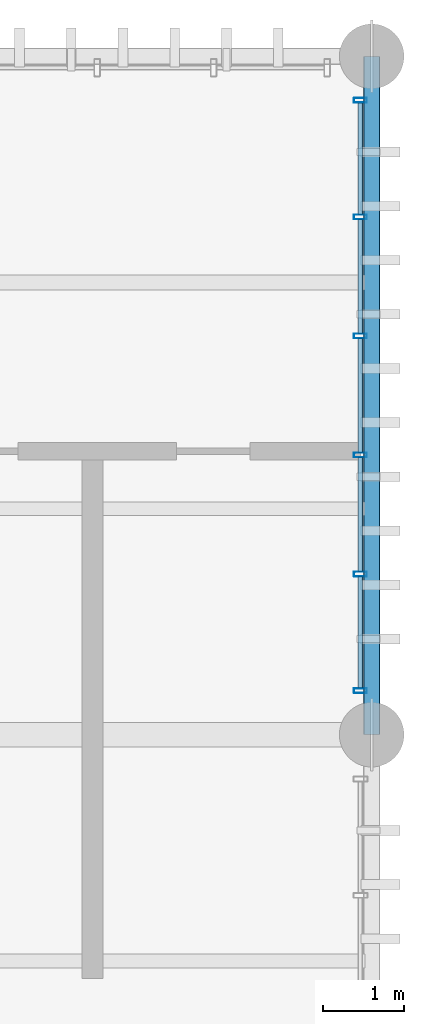
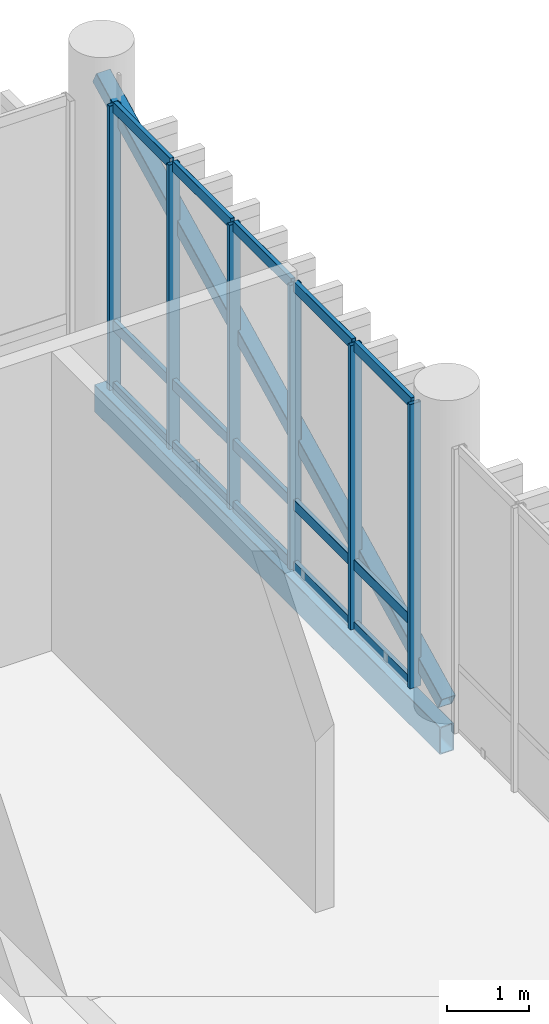
# One storey, part 76 of 109: 22 members, 1 beam, 1 element without a shape of its own.
"""IFC4 building model written with IfcOpenShell, lengths in metres."""

from ifc_helpers import new_model, si_unit, direction, frame, origin_with_axes, origin_2d_with_axis, place, context, subcontext, project, spatial, hollow_rectangle, extrude, material, material_profile, profile_set, type_object, element, aggregate, save


model = new_model("IFC4")

# Units and contexts
model_context = context("Model", 3, precision=1e-05, world=origin_with_axes(), true_north=direction((0.0, 1.0)))
body_context = subcontext(model_context, "Body", "Model", "MODEL_VIEW")
ifc_project = project(units=[si_unit("LENGTHUNIT", "METRE"), si_unit("AREAUNIT", "SQUARE_METRE"), si_unit("VOLUMEUNIT", "CUBIC_METRE"), si_unit("PLANEANGLEUNIT", "RADIAN"), si_unit("MASSUNIT", "GRAM", prefix="KILO"), si_unit("THERMODYNAMICTEMPERATUREUNIT", "KELVIN")], contexts=[model_context])

# Site, building, storey
site_placement = place(None, origin_with_axes())
site = spatial("IfcSite", under=ifc_project, at=site_placement, CompositionType="ELEMENT")
building_placement = place(site_placement, origin_with_axes())
building = spatial("IfcBuilding", under=site, at=building_placement, Name="Montbau Bow Law Courts", CompositionType="ELEMENT")
storey_placement = place(building_placement, frame((0.0, 0.0, 10.8), z_axis=(0.0, 0.0, 1.0), x_axis=(1.0, 0.0, 0.0)))
storey = spatial("IfcBuildingStorey", under=building, at=storey_placement, Name="L02", CompositionType="ELEMENT", Elevation=10.8)

# Beam
ifc_material_1 = material(Name="Steel CSA G40.21 Grade 350WT (350 MPa)", Category="steel")
ifc_material_profile_1 = material_profile(ifc_material_1, hollow_rectangle(XDim=0.203, YDim=0.406, WallThickness=0.0127, InnerFilletRadius=0.0254, OuterFilletRadius=0.0127, at=origin_2d_with_axis()), Name="HSS406X203X13", Category="Main", Priority=0)
ifc_profile_set_1 = profile_set([ifc_material_profile_1], Name="Steel CSA G40.21 Grade 350WT (350 MPa)")
beam_type = type_object("IfcBeamType", Name="B-SPN-01", PredefinedType="SPANDREL", material=ifc_profile_set_1)
beam_placement = place(None, frame((169.4, 94.8, 10.297), z_axis=(0.0, 1.0, 0.0), x_axis=(-1.0, 0.0, 0.0)))
element("IfcBeam", 1, at=beam_placement, inside=storey, type_object=beam_type, Name="SPN-L02-S1204:bm2_1207", PredefinedType="SPANDREL", context=body_context, shape_type="SweptSolid", body=[
    extrude(hollow_rectangle(XDim=0.203, YDim=0.406, WallThickness=0.0127, InnerFilletRadius=0.0254, OuterFilletRadius=0.0127, at=origin_2d_with_axis()), origin_with_axes(), (0.0, 0.0, 1.0), 8.4),
])

# Member
ifc_material_2 = material(Name="Steel CSA G40.21 Grade 350W (350 MPa)", Category="steel")
ifc_material_profile_2 = material_profile(ifc_material_2, hollow_rectangle(XDim=0.203, YDim=0.203, WallThickness=0.0111, InnerFilletRadius=0.0222, OuterFilletRadius=0.0111, at=origin_2d_with_axis()), Name="HSS203X203X11", Category="Main", Priority=0)
ifc_profile_set_2 = profile_set([ifc_material_profile_2], Name="Steel CSA G40.21 Grade 350W (350 MPa)")
member_type_1 = type_object("IfcMemberType", Name="M-BRC-02", PredefinedType="BRACE", material=ifc_profile_set_2)
member_1_placement = place(None, frame((169.4, 94.8, 10.85), z_axis=(0.0, 0.894128949, 0.447809582), x_axis=(-1.0, 0.0, 0.0)))
element("IfcMember", 2, at=member_1_placement, inside=storey, type_object=member_type_1, Name="Diagonal brace CBF-L02-075A", PredefinedType="BRACE", context=body_context, shape_type="SweptSolid", body=[
    extrude(hollow_rectangle(XDim=0.203, YDim=0.203, WallThickness=0.0111, InnerFilletRadius=0.0222, OuterFilletRadius=0.0111, at=origin_2d_with_axis()), origin_with_axes(), (0.0, 0.0, 1.0), 9.394618),
])

# Curtain wall, members
ifc_material_3 = material(Name="Thermally Broken Extruded Aluminium AA 6063-T6", Category="aluminium")
curtain_wall_type = type_object("IfcCurtainWallType", Name="CW-SLT-01", PredefinedType="NOTDEFINED", material=ifc_material_3)
curtain_wall_placement = place(None, frame((169.26, 95.315, 10.8), z_axis=(0.0, 0.0, 1.0), x_axis=(1.0, 0.0, 0.0)))
curtain_wall = element("IfcCurtainWall", 3, at=curtain_wall_placement, inside=storey, type_object=curtain_wall_type, Name="CW-L02-308:cw_0308", PredefinedType="NOTDEFINED")
ifc_material_profile_3 = material_profile(ifc_material_3, hollow_rectangle(XDim=0.06, YDim=0.16, WallThickness=0.004, InnerFilletRadius=0.008, OuterFilletRadius=0.004, at=origin_2d_with_axis()), Name="CWM-160X60", Category="Main", Priority=0)
ifc_profile_set_3 = profile_set([ifc_material_profile_3], Name="Thermally Broken Extruded Aluminium AA 6063-T6")
member_type_2 = type_object("IfcMemberType", Name="M-MUL-03", PredefinedType="MULLION", material=ifc_profile_set_3)
member_2_placement = place(None, frame((169.26, 95.345, 10.8), z_axis=(0.0, 0.0, 1.0), x_axis=(0.0, 1.0, 0.0)))
member_2 = element("IfcMember", 4, at=member_2_placement, type_object=member_type_2, Name="CW-L02-308-M01:cw_0308_M01", PredefinedType="MULLION", context=body_context, shape_type="SweptSolid", body=[
    extrude(hollow_rectangle(XDim=0.06, YDim=0.16, WallThickness=0.004, InnerFilletRadius=0.008, OuterFilletRadius=0.004, at=origin_2d_with_axis()), origin_with_axes(), (0.0, 0.0, 1.0), 4.22),
])
member_3_placement = place(None, frame((169.26, 96.789, 10.8), z_axis=(0.0, 0.0, 1.0), x_axis=(0.0, 1.0, 0.0)))
member_3 = element("IfcMember", 5, at=member_3_placement, type_object=member_type_2, Name="CW-L02-308-M02:cw_0308_M02", PredefinedType="MULLION", context=body_context, shape_type="SweptSolid", body=[
    extrude(hollow_rectangle(XDim=0.06, YDim=0.16, WallThickness=0.004, InnerFilletRadius=0.008, OuterFilletRadius=0.004, at=origin_2d_with_axis()), origin_with_axes(), (0.0, 0.0, 1.0), 4.22),
])
member_4_placement = place(None, frame((169.26, 98.263, 10.8), z_axis=(0.0, 0.0, 1.0), x_axis=(0.0, 1.0, 0.0)))
member_4 = element("IfcMember", 6, at=member_4_placement, type_object=member_type_2, Name="CW-L02-308-M03:cw_0308_M03", PredefinedType="MULLION", context=body_context, shape_type="SweptSolid", body=[
    extrude(hollow_rectangle(XDim=0.06, YDim=0.16, WallThickness=0.004, InnerFilletRadius=0.008, OuterFilletRadius=0.004, at=origin_2d_with_axis()), origin_with_axes(), (0.0, 0.0, 1.0), 4.22),
])
member_5_placement = place(None, frame((169.26, 99.737, 10.8), z_axis=(0.0, 0.0, 1.0), x_axis=(0.0, 1.0, 0.0)))
member_5 = element("IfcMember", 7, at=member_5_placement, type_object=member_type_2, Name="CW-L02-308-M04:cw_0308_M04", PredefinedType="MULLION", context=body_context, shape_type="SweptSolid", body=[
    extrude(hollow_rectangle(XDim=0.06, YDim=0.16, WallThickness=0.004, InnerFilletRadius=0.008, OuterFilletRadius=0.004, at=origin_2d_with_axis()), origin_with_axes(), (0.0, 0.0, 1.0), 4.22),
])
member_6_placement = place(None, frame((169.26, 101.211, 10.8), z_axis=(0.0, 0.0, 1.0), x_axis=(0.0, 1.0, 0.0)))
member_6 = element("IfcMember", 8, at=member_6_placement, type_object=member_type_2, Name="CW-L02-308-M05:cw_0308_M05", PredefinedType="MULLION", context=body_context, shape_type="SweptSolid", body=[
    extrude(hollow_rectangle(XDim=0.06, YDim=0.16, WallThickness=0.004, InnerFilletRadius=0.008, OuterFilletRadius=0.004, at=origin_2d_with_axis()), origin_with_axes(), (0.0, 0.0, 1.0), 4.22),
])
member_7_placement = place(None, frame((169.26, 102.655, 10.8), z_axis=(0.0, 0.0, 1.0), x_axis=(0.0, 1.0, 0.0)))
member_7 = element("IfcMember", 9, at=member_7_placement, type_object=member_type_2, Name="CW-L02-308-M06:cw_0308_M06", PredefinedType="MULLION", context=body_context, shape_type="SweptSolid", body=[
    extrude(hollow_rectangle(XDim=0.06, YDim=0.16, WallThickness=0.004, InnerFilletRadius=0.008, OuterFilletRadius=0.004, at=origin_2d_with_axis()), origin_with_axes(), (0.0, 0.0, 1.0), 4.22),
])
ifc_material_profile_4 = material_profile(ifc_material_3, hollow_rectangle(XDim=0.06, YDim=0.16, WallThickness=0.004, InnerFilletRadius=0.008, OuterFilletRadius=0.004, at=origin_2d_with_axis()), Name="CWT-160X60", Category="Main", Priority=0)
ifc_profile_set_4 = profile_set([ifc_material_profile_4], Name="Thermally Broken Extruded Aluminium AA 6063-T6")
member_type_3 = type_object("IfcMemberType", Name="M-TRN-01", PredefinedType="USERDEFINED", material=ifc_profile_set_4)
member_8_placement = place(None, frame((169.26, 95.377, 10.83), z_axis=(0.0, 1.0, 0.0), x_axis=(-1.0, 0.0, 0.0)))
member_8 = element("IfcMember", 10, at=member_8_placement, type_object=member_type_3, Name="CW-L02-308-T01-1:cw_0308_T01_1", ObjectType="TRANSOM", PredefinedType="USERDEFINED", context=body_context, shape_type="SweptSolid", body=[
    extrude(hollow_rectangle(XDim=0.06, YDim=0.16, WallThickness=0.004, InnerFilletRadius=0.008, OuterFilletRadius=0.004, at=origin_2d_with_axis()), origin_with_axes(), (0.0, 0.0, 1.0), 1.38),
])
member_9_placement = place(None, frame((169.26, 95.377, 11.75), z_axis=(0.0, 1.0, 0.0), x_axis=(-1.0, 0.0, 0.0)))
member_9 = element("IfcMember", 11, at=member_9_placement, type_object=member_type_3, Name="CW-L02-308-T01-2:cw_0308_T01_2", ObjectType="TRANSOM", PredefinedType="USERDEFINED", context=body_context, shape_type="SweptSolid", body=[
    extrude(hollow_rectangle(XDim=0.06, YDim=0.16, WallThickness=0.004, InnerFilletRadius=0.008, OuterFilletRadius=0.004, at=origin_2d_with_axis()), origin_with_axes(), (0.0, 0.0, 1.0), 1.38),
])
member_10_placement = place(None, frame((169.26, 95.377, 14.99), z_axis=(0.0, 1.0, 0.0), x_axis=(-1.0, 0.0, 0.0)))
member_10 = element("IfcMember", 12, at=member_10_placement, type_object=member_type_3, Name="CW-L02-308-T01-3:cw_0308_T01_3", ObjectType="TRANSOM", PredefinedType="USERDEFINED", context=body_context, shape_type="SweptSolid", body=[
    extrude(hollow_rectangle(XDim=0.06, YDim=0.16, WallThickness=0.004, InnerFilletRadius=0.008, OuterFilletRadius=0.004, at=origin_2d_with_axis()), origin_with_axes(), (0.0, 0.0, 1.0), 1.38),
])
member_11_placement = place(None, frame((169.26, 96.821, 10.83), z_axis=(0.0, 1.0, 0.0), x_axis=(-1.0, 0.0, 0.0)))
member_11 = element("IfcMember", 13, at=member_11_placement, type_object=member_type_3, Name="CW-L02-308-T02-1:cw_0308_T02_1", ObjectType="TRANSOM", PredefinedType="USERDEFINED", context=body_context, shape_type="SweptSolid", body=[
    extrude(hollow_rectangle(XDim=0.06, YDim=0.16, WallThickness=0.004, InnerFilletRadius=0.008, OuterFilletRadius=0.004, at=origin_2d_with_axis()), origin_with_axes(), (0.0, 0.0, 1.0), 1.41),
])
member_12_placement = place(None, frame((169.26, 96.821, 11.75), z_axis=(0.0, 1.0, 0.0), x_axis=(-1.0, 0.0, 0.0)))
member_12 = element("IfcMember", 14, at=member_12_placement, type_object=member_type_3, Name="CW-L02-308-T02-2:cw_0308_T02_2", ObjectType="TRANSOM", PredefinedType="USERDEFINED", context=body_context, shape_type="SweptSolid", body=[
    extrude(hollow_rectangle(XDim=0.06, YDim=0.16, WallThickness=0.004, InnerFilletRadius=0.008, OuterFilletRadius=0.004, at=origin_2d_with_axis()), origin_with_axes(), (0.0, 0.0, 1.0), 1.41),
])
member_13_placement = place(None, frame((169.26, 96.821, 14.99), z_axis=(0.0, 1.0, 0.0), x_axis=(-1.0, 0.0, 0.0)))
member_13 = element("IfcMember", 15, at=member_13_placement, type_object=member_type_3, Name="CW-L02-308-T02-3:cw_0308_T02_3", ObjectType="TRANSOM", PredefinedType="USERDEFINED", context=body_context, shape_type="SweptSolid", body=[
    extrude(hollow_rectangle(XDim=0.06, YDim=0.16, WallThickness=0.004, InnerFilletRadius=0.008, OuterFilletRadius=0.004, at=origin_2d_with_axis()), origin_with_axes(), (0.0, 0.0, 1.0), 1.41),
])
member_14_placement = place(None, frame((169.26, 98.295, 10.83), z_axis=(0.0, 1.0, 0.0), x_axis=(-1.0, 0.0, 0.0)))
member_14 = element("IfcMember", 16, at=member_14_placement, type_object=member_type_3, Name="CW-L02-308-T03-1:cw_0308_T03_1", ObjectType="TRANSOM", PredefinedType="USERDEFINED", context=body_context, shape_type="SweptSolid", body=[
    extrude(hollow_rectangle(XDim=0.06, YDim=0.16, WallThickness=0.004, InnerFilletRadius=0.008, OuterFilletRadius=0.004, at=origin_2d_with_axis()), origin_with_axes(), (0.0, 0.0, 1.0), 1.41),
])
member_15_placement = place(None, frame((169.26, 98.295, 11.75), z_axis=(0.0, 1.0, 0.0), x_axis=(-1.0, 0.0, 0.0)))
member_15 = element("IfcMember", 17, at=member_15_placement, type_object=member_type_3, Name="CW-L02-308-T03-2:cw_0308_T03_2", ObjectType="TRANSOM", PredefinedType="USERDEFINED", context=body_context, shape_type="SweptSolid", body=[
    extrude(hollow_rectangle(XDim=0.06, YDim=0.16, WallThickness=0.004, InnerFilletRadius=0.008, OuterFilletRadius=0.004, at=origin_2d_with_axis()), origin_with_axes(), (0.0, 0.0, 1.0), 1.41),
])
member_16_placement = place(None, frame((169.26, 98.295, 14.99), z_axis=(0.0, 1.0, 0.0), x_axis=(-1.0, 0.0, 0.0)))
member_16 = element("IfcMember", 18, at=member_16_placement, type_object=member_type_3, Name="CW-L02-308-T03-3:cw_0308_T03_3", ObjectType="TRANSOM", PredefinedType="USERDEFINED", context=body_context, shape_type="SweptSolid", body=[
    extrude(hollow_rectangle(XDim=0.06, YDim=0.16, WallThickness=0.004, InnerFilletRadius=0.008, OuterFilletRadius=0.004, at=origin_2d_with_axis()), origin_with_axes(), (0.0, 0.0, 1.0), 1.41),
])
member_17_placement = place(None, frame((169.26, 99.769, 10.83), z_axis=(0.0, 1.0, 0.0), x_axis=(-1.0, 0.0, 0.0)))
member_17 = element("IfcMember", 19, at=member_17_placement, type_object=member_type_3, Name="CW-L02-308-T04-1:cw_0308_T04_1", ObjectType="TRANSOM", PredefinedType="USERDEFINED", context=body_context, shape_type="SweptSolid", body=[
    extrude(hollow_rectangle(XDim=0.06, YDim=0.16, WallThickness=0.004, InnerFilletRadius=0.008, OuterFilletRadius=0.004, at=origin_2d_with_axis()), origin_with_axes(), (0.0, 0.0, 1.0), 1.41),
])
member_18_placement = place(None, frame((169.26, 99.769, 11.75), z_axis=(0.0, 1.0, 0.0), x_axis=(-1.0, 0.0, 0.0)))
member_18 = element("IfcMember", 20, at=member_18_placement, type_object=member_type_3, Name="CW-L02-308-T04-2:cw_0308_T04_2", ObjectType="TRANSOM", PredefinedType="USERDEFINED", context=body_context, shape_type="SweptSolid", body=[
    extrude(hollow_rectangle(XDim=0.06, YDim=0.16, WallThickness=0.004, InnerFilletRadius=0.008, OuterFilletRadius=0.004, at=origin_2d_with_axis()), origin_with_axes(), (0.0, 0.0, 1.0), 1.41),
])
member_19_placement = place(None, frame((169.26, 99.769, 14.99), z_axis=(0.0, 1.0, 0.0), x_axis=(-1.0, 0.0, 0.0)))
member_19 = element("IfcMember", 21, at=member_19_placement, type_object=member_type_3, Name="CW-L02-308-T04-3:cw_0308_T04_3", ObjectType="TRANSOM", PredefinedType="USERDEFINED", context=body_context, shape_type="SweptSolid", body=[
    extrude(hollow_rectangle(XDim=0.06, YDim=0.16, WallThickness=0.004, InnerFilletRadius=0.008, OuterFilletRadius=0.004, at=origin_2d_with_axis()), origin_with_axes(), (0.0, 0.0, 1.0), 1.41),
])
member_20_placement = place(None, frame((169.26, 101.243, 10.83), z_axis=(0.0, 1.0, 0.0), x_axis=(-1.0, 0.0, 0.0)))
member_20 = element("IfcMember", 22, at=member_20_placement, type_object=member_type_3, Name="CW-L02-308-T05-1:cw_0308_T05_1", ObjectType="TRANSOM", PredefinedType="USERDEFINED", context=body_context, shape_type="SweptSolid", body=[
    extrude(hollow_rectangle(XDim=0.06, YDim=0.16, WallThickness=0.004, InnerFilletRadius=0.008, OuterFilletRadius=0.004, at=origin_2d_with_axis()), origin_with_axes(), (0.0, 0.0, 1.0), 1.38),
])
member_21_placement = place(None, frame((169.26, 101.243, 11.75), z_axis=(0.0, 1.0, 0.0), x_axis=(-1.0, 0.0, 0.0)))
member_21 = element("IfcMember", 23, at=member_21_placement, type_object=member_type_3, Name="CW-L02-308-T05-2:cw_0308_T05_2", ObjectType="TRANSOM", PredefinedType="USERDEFINED", context=body_context, shape_type="SweptSolid", body=[
    extrude(hollow_rectangle(XDim=0.06, YDim=0.16, WallThickness=0.004, InnerFilletRadius=0.008, OuterFilletRadius=0.004, at=origin_2d_with_axis()), origin_with_axes(), (0.0, 0.0, 1.0), 1.38),
])
member_22_placement = place(None, frame((169.26, 101.243, 14.99), z_axis=(0.0, 1.0, 0.0), x_axis=(-1.0, 0.0, 0.0)))
member_22 = element("IfcMember", 24, at=member_22_placement, type_object=member_type_3, Name="CW-L02-308-T05-3:cw_0308_T05_3", ObjectType="TRANSOM", PredefinedType="USERDEFINED", context=body_context, shape_type="SweptSolid", body=[
    extrude(hollow_rectangle(XDim=0.06, YDim=0.16, WallThickness=0.004, InnerFilletRadius=0.008, OuterFilletRadius=0.004, at=origin_2d_with_axis()), origin_with_axes(), (0.0, 0.0, 1.0), 1.38),
])
aggregate(curtain_wall, [member_2, member_3, member_4, member_5, member_6, member_7, member_8, member_9, member_10, member_11, member_12, member_13, member_14, member_15, member_16, member_17, member_18, member_19, member_20, member_21, member_22])

save(model, "model.ifc")
